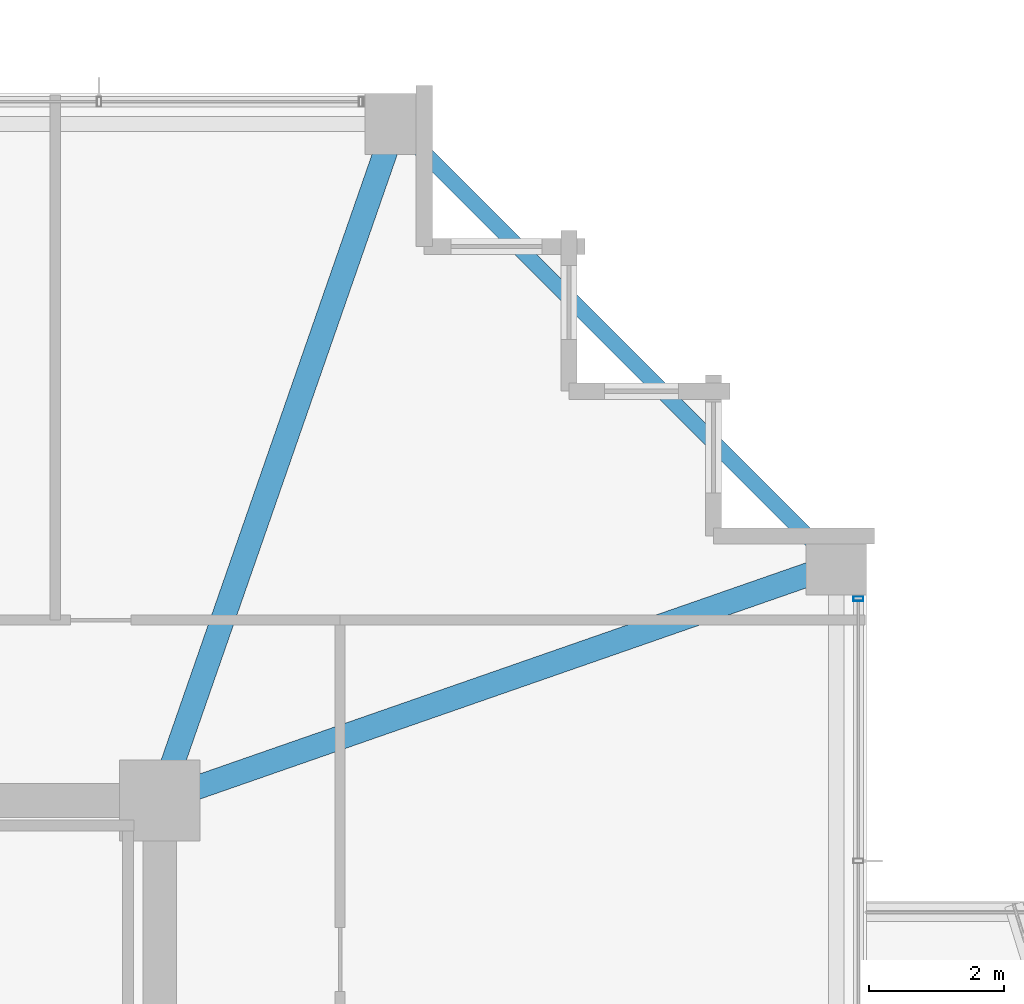
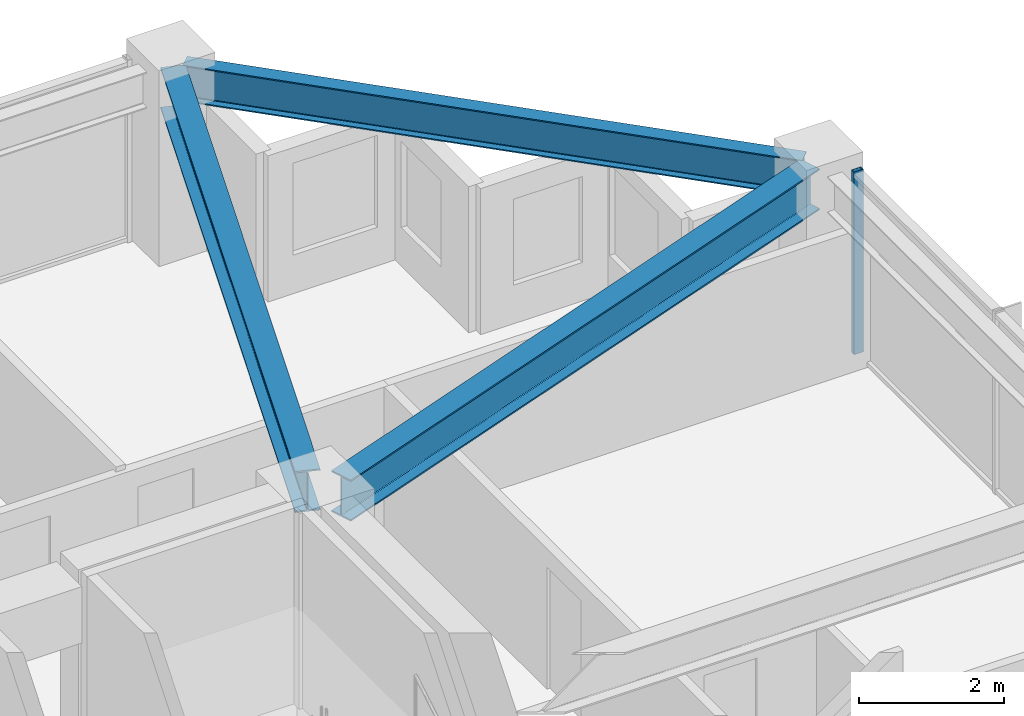
# One storey, part 20 of 35: 3 beams, 1 member, 1 element without a shape of its own.
"""IFC4 building model written with IfcOpenShell, lengths in metres."""

from ifc_helpers import new_model, si_unit, direction, frame, origin, origin_2d, place, context, subcontext, project, spatial, hollow_rectangle, i_section, extrude, material, material_profile, profile_set, type_object, element, aggregate, save


model = new_model("IFC4")

# Units and contexts
model_context = context("Model", 3, precision=1e-05, world=origin(), true_north=direction((0.0, 1.0)))
body_context = subcontext(model_context, "Body", "Model", "MODEL_VIEW")
ifc_project = project(units=[si_unit("LENGTHUNIT", "METRE"), si_unit("AREAUNIT", "SQUARE_METRE"), si_unit("VOLUMEUNIT", "CUBIC_METRE"), si_unit("PLANEANGLEUNIT", "RADIAN"), si_unit("MASSUNIT", "GRAM", prefix="KILO")], contexts=[model_context])

# Site, building, storey
site_placement = place(None, origin())
site = spatial("IfcSite", under=ifc_project, at=site_placement, CompositionType="ELEMENT")
building_placement = place(site_placement, origin())
building = spatial("IfcBuilding", under=site, at=building_placement, Name="Kolvaren Belvedere", CompositionType="ELEMENT")
storey_placement = place(building_placement, frame((0.0, 0.0, 176.699951171875)))
storey = spatial("IfcBuildingStorey", under=building, at=storey_placement, Name="L51", CompositionType="ELEMENT", Elevation=176.699951171875)

# Beams
ifc_material_1 = material(Name="Structural steel ASTM A992 Grade 50", Category="steel")
ifc_material_profile_1 = material_profile(ifc_material_1, i_section(OverallWidth=0.35498046875, OverallDepth=0.696044921875, WebThickness=0.015380859375, FlangeThickness=0.02490234375, FilletRadius=0.02197265625, at=origin_2d()), Name="W27X146")
ifc_profile_set_1 = profile_set([ifc_material_profile_1], Name="Structural steel ASTM A992 Grade 50")
beam_type_1 = type_object("IfcBeamType", Name="BM-GIRD-W27X146", PredefinedType="BEAM", material=ifc_profile_set_1)
for number, where, z_axis, x_axis, name in (
    (1, (10.080810546875, 10.41943359375, 2.73193359375), (0.328894130701, 0.944366798861, 0.0), (-0.944366798861, 0.328894130701, 0.0), "L51 Corner Core-to-Perimeter Girder CC3-N4"),
    (2, (10.41943359375, 10.080810546875, 2.73193359375), (0.944366798861, 0.328894130701, 0.0), (-0.328894130701, 0.944366798861, 0.0), "L51 Corner Core-to-Perimeter Girder CC3-E4"),
):
    element("IfcBeam", number, at=place(storey_placement, frame(where, z_axis=z_axis, x_axis=x_axis)), inside=storey, type_object=beam_type_1, Name=name, PredefinedType="BEAM", context=body_context, shape_type="SweptSolid", body=[
        extrude(i_section(OverallWidth=0.35498046875, OverallDepth=0.696044921875, WebThickness=0.015380859375, FlangeThickness=0.02490234375, FilletRadius=0.02197265625, at=origin_2d()), origin(), (0.0, 0.0, 1.0), 9.912109375),
    ])
ifc_material_2 = material(Name="Structural steel ASTM A992 Grade 50", Category="steel")
ifc_material_profile_2 = material_profile(ifc_material_2, i_section(OverallWidth=0.22900390625, OverallDepth=0.612060546875, WebThickness=0.011962890625, FlangeThickness=0.01953125, FilletRadius=0.01806640625, at=origin_2d()), Name="W24X84")
ifc_profile_set_2 = profile_set([ifc_material_profile_2], Name="Structural steel ASTM A992 Grade 50")
beam_type_2 = type_object("IfcBeamType", Name="BM-SPAN-W24X84", PredefinedType="SPANDREL", material=ifc_profile_set_2)
beam_placement = place(storey_placement, frame((19.806884765625, 13.543212890625, 2.774169921875), z_axis=(-0.707106781187, 0.707106781187, 0.0), x_axis=(-0.707106781187, -0.707106781187, 0.0)))
element("IfcBeam", 3, at=beam_placement, inside=storey, type_object=beam_type_2, Name="L51 Perimeter Spandrel E4-N4", PredefinedType="SPANDREL", context=body_context, shape_type="SweptSolid", body=[
    extrude(i_section(OverallWidth=0.22900390625, OverallDepth=0.612060546875, WebThickness=0.011962890625, FlangeThickness=0.01953125, FilletRadius=0.01806640625, at=origin_2d()), origin(), (0.0, 0.0, 1.0), 8.858154296875),
])

# Curtain wall, member
ifc_material_3 = material(Name="Anodised pale-metal aluminium AA 6063-T6", Category="aluminium")
curtain_wall_type = type_object("IfcCurtainWallType", Name="CW-Z5-HIGH", PredefinedType="NOTDEFINED", material=ifc_material_3)
curtain_wall_placement = place(storey_placement, origin())
curtain_wall = element("IfcCurtainWall", 4, at=curtain_wall_placement, inside=storey, type_object=curtain_wall_type, Name="L51 Unitised Curtain Wall FCW-L51-E1-B1", PredefinedType="NOTDEFINED")
ifc_material_4 = material(Name="Anodised pale-metal aluminium AA 6063-T6", Category="aluminium")
ifc_material_profile_3 = material_profile(ifc_material_4, hollow_rectangle(XDim=0.070068359375, YDim=0.14990234375, WallThickness=0.004150390625, at=origin_2d()), Name="ALU-MUL-150X70")
ifc_profile_set_3 = profile_set([ifc_material_profile_3], Name="Anodised pale-metal aluminium AA 6063-T6")
member_type = type_object("IfcMemberType", Name="CW-MUL-150", PredefinedType="MULLION", material=ifc_profile_set_3)
member_placement = place(storey_placement, frame((20.280029296875, 12.89501953125, 0.0), z_axis=(0.0, 0.0, 1.0), x_axis=(0.0, 1.0, 0.0)))
member = element("IfcMember", 5, at=member_placement, type_object=member_type, Name="FCW-L51-E1-B1 Unitised Mullion 1", PredefinedType="MULLION", context=body_context, shape_type="SweptSolid", body=[
    extrude(hollow_rectangle(XDim=0.070068359375, YDim=0.14990234375, WallThickness=0.004150390625, at=origin_2d()), origin(), (0.0, 0.0, 1.0), 3.080078125),
])
aggregate(curtain_wall, [member])

save(model, "model.ifc")
